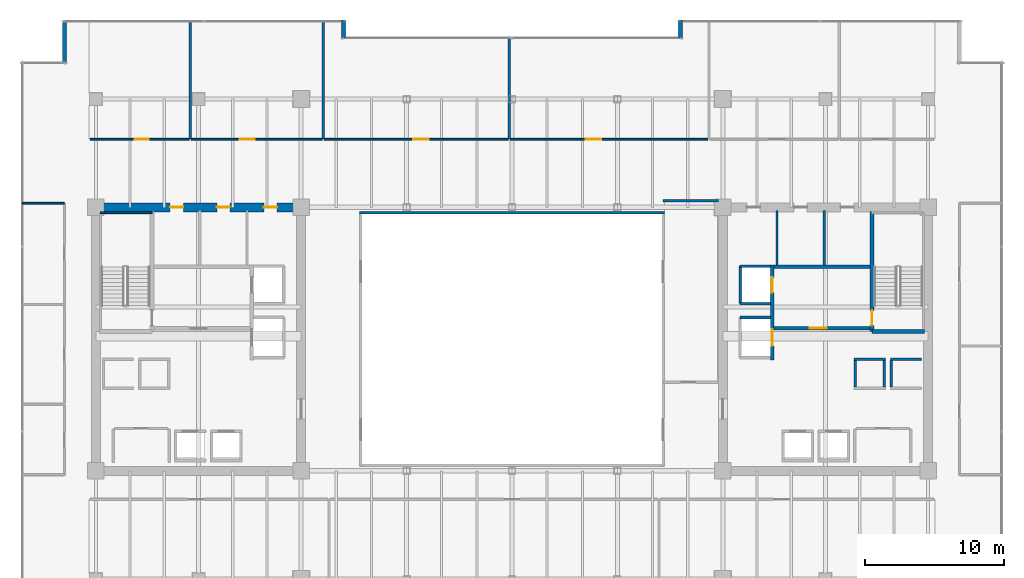
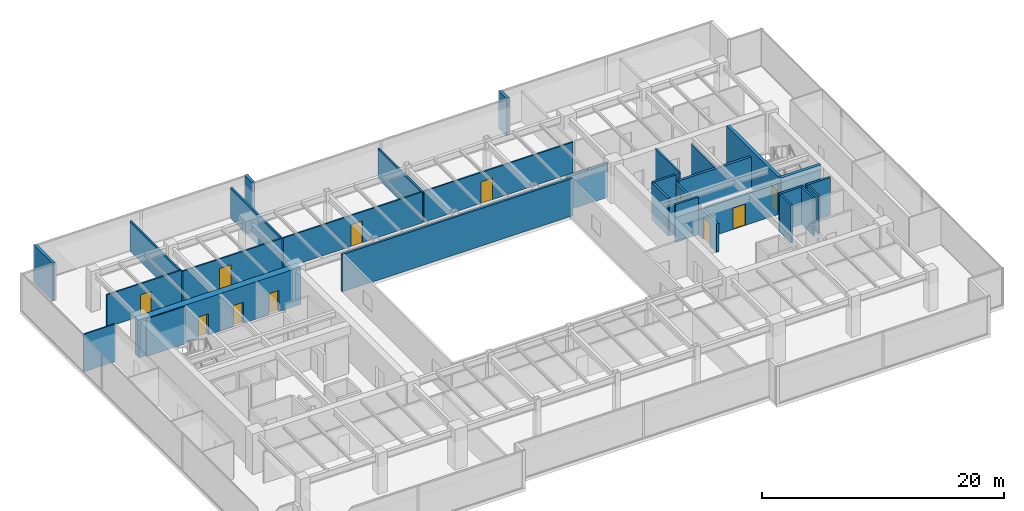
# One storey, part 27 of 33: 31 walls, 11 doors, 11 openings.
"""IFC4 building model written with IfcOpenShell, lengths in metres."""

from ifc_helpers import new_model, si_unit, direction, frame, frame_2d, origin, place, context, subcontext, project, spatial, rectangle, extrude, source, transform, mapped, material, layer, layer_set, type_object, type_shapes, element, fill, save


model = new_model("IFC4")

# Units and contexts
model_context = context("Model", 3, precision=1e-05, world=origin(), true_north=direction((0.0, 1.0)))
body_context = subcontext(model_context, "Body", "Model", "MODEL_VIEW")
ifc_project = project(units=[si_unit("LENGTHUNIT", "METRE"), si_unit("AREAUNIT", "SQUARE_METRE"), si_unit("VOLUMEUNIT", "CUBIC_METRE"), si_unit("PLANEANGLEUNIT", "RADIAN"), si_unit("MASSUNIT", "GRAM", prefix="KILO")], contexts=[model_context])

# Site, building, storey
site_placement = place(None, origin())
site = spatial("IfcSite", under=ifc_project, at=site_placement, CompositionType="ELEMENT")
building_placement = place(site_placement, origin())
building = spatial("IfcBuilding", under=site, at=building_placement, Name="Haelvirn Gate Laboratories", CompositionType="ELEMENT")
storey_placement = place(building_placement, frame((0.0, 0.0, 133.800048828125)))
storey = spatial("IfcBuildingStorey", under=building, at=storey_placement, Name="L32", CompositionType="ELEMENT", Elevation=133.800048828125)

# Walls
ifc_material_1 = material(Name="Thermally-broken bronze aluminium rainscreen & mineral wool", Category="aluminium")
ifc_layer_1 = layer(ifc_material_1, 0.280029296875, Name="EW-TERR-280")
ifc_layer_set_1 = layer_set([ifc_layer_1], Name="Thermally-broken bronze aluminium rainscreen & mineral wool")
wall_type_1 = type_object("IfcWallType", Name="EW-TERR-280", PredefinedType="STANDARD", material=ifc_layer_set_1)
for number, where, z_axis, x_axis, name in (
    (1, (49.5400390625, 47.300048828125, 0.0), (0.0, 0.0, 1.0), (0.0, -1.0, 0.0), "L32 Atrium Recess Bronze Return Wall 11"),
    (2, (25.260009765625, 46.011962890625, 0.0), (0.0, 0.0, 1.0), (0.0, 1.0, 0.0), "L32 Atrium Recess Bronze Return Wall 13"),
):
    element("IfcWall", number, at=place(storey_placement, frame(where, z_axis=z_axis, x_axis=x_axis)), inside=storey, type_object=wall_type_1, Name=name, PredefinedType="STANDARD", context=body_context, shape_type="SweptSolid", body=[
        extrude(rectangle(XDim=1.2880859375, YDim=0.280029296875, at=frame_2d((0.64404296875, 0.0))), origin(), (0.0, 0.0, 1.0), 3.7900390625),
    ])
wall_1_placement = place(storey_placement, frame((5.139892578125, 47.300048828125, 0.0), z_axis=(0.0, 0.0, 1.0), x_axis=(0.0, -1.0, 0.0)))
element("IfcWall", 3, at=wall_1_placement, inside=storey, type_object=wall_type_1, Name="L32 Atrium Recess Bronze Return Wall 15", PredefinedType="STANDARD", context=body_context, shape_type="SweptSolid", body=[
    extrude(rectangle(XDim=3.088134765625, YDim=0.280029296875, at=frame_2d((1.5439453125, 0.0))), origin(), (0.0, 0.0, 1.0), 3.7900390625),
])
ifc_material_2 = material(Name="Double-layer acoustic gypsum laboratory partition", Category="gypsum")
ifc_layer_2 = layer(ifc_material_2, 0.159912109375, Name="IW-ACOUST-160")
ifc_layer_set_2 = layer_set([ifc_layer_2], Name="Double-layer acoustic gypsum laboratory partition")
wall_type_2 = type_object("IfcWallType", Name="IW-ACOUST-160", PredefinedType="PARTITIONING", material=ifc_layer_set_2)
for number, where, z_axis, x_axis, name in (
    (4, (14.199951171875, 38.705078125, 0.0), (0.0, 0.0, 1.0), (0.0, 1.0, 0.0), "L32 Interior Wall IW-L32-NDIV-01"),
    (5, (23.800048828125, 38.705078125, 0.0), (0.0, 0.0, 1.0), (0.0, 1.0, 0.0), "L32 Interior Wall IW-L32-NDIV-02"),
):
    element("IfcWall", number, at=place(storey_placement, frame(where, z_axis=z_axis, x_axis=x_axis)), inside=storey, type_object=wall_type_2, Name=name, PredefinedType="PARTITIONING", context=body_context, shape_type="SweptSolid", body=[
        extrude(rectangle(XDim=8.48486328125, YDim=0.159912109375, at=frame_2d((4.242431640625, 0.0))), origin(), (0.0, 0.0, 1.0), 3.074951171875),
    ])
wall_2_placement = place(storey_placement, frame((37.199951171875, 38.705078125, 0.0), z_axis=(0.0, 0.0, 1.0), x_axis=(0.0, 1.0, 0.0)))
element("IfcWall", 6, at=wall_2_placement, inside=storey, type_object=wall_type_2, Name="L32 Interior Wall IW-L32-NDIV-03", PredefinedType="PARTITIONING", context=body_context, shape_type="SweptSolid", body=[
    extrude(rectangle(XDim=7.284912109375, YDim=0.159912109375, at=frame_2d((3.642578125, 0.0))), origin(), (0.0, 0.0, 1.0), 3.074951171875),
])
ifc_material_3 = material(Name="Fire-rated acoustic gypsum board partition", Category="gypsum")
ifc_layer_3 = layer(ifc_material_3, 0.175048828125, Name="IW-ACOUST-180")
ifc_layer_set_3 = layer_set([ifc_layer_3], Name="Fire-rated acoustic gypsum board partition")
wall_type_3 = type_object("IfcWallType", Name="IW-ACOUST-180", PredefinedType="PARTITIONING", material=ifc_layer_set_3)
wall_3_placement = place(storey_placement, frame((48.300048828125, 34.260009765625, 0.0), z_axis=(0.0, 0.0, 1.0), x_axis=(1.0, 0.0, 0.0)))
element("IfcWall", 7, at=wall_3_placement, inside=storey, type_object=wall_type_3, Name="L32 Interior Wall IW-L32-ASEM-N", PredefinedType="PARTITIONING", context=body_context, shape_type="SweptSolid", body=[
    extrude(rectangle(XDim=3.974853515625, YDim=0.175048828125, at=frame_2d((1.9873046875, 0.0))), origin(), (0.0, 0.0, 1.0), 3.474853515625),
])
ifc_material_4 = material(Name="Tempered fire-rated borosilicate glass & anodised aluminium", Category="aluminium")
ifc_layer_4 = layer(ifc_material_4, 0.195068359375, Name="IW-GLAZ-200")
ifc_layer_set_4 = layer_set([ifc_layer_4], Name="Tempered fire-rated borosilicate glass & anodised aluminium")
wall_type_4 = type_object("IfcWallType", Name="IW-GLAZ-200", PredefinedType="SOLIDWALL", material=ifc_layer_set_4)
wall_4_placement = place(storey_placement, frame((26.39990234375, 33.39990234375, 0.0), z_axis=(0.0, 0.0, 1.0), x_axis=(1.0, 0.0, 0.0)))
element("IfcWall", 8, at=wall_4_placement, inside=storey, type_object=wall_type_4, Name="L32 Interior Wall IW-L32-ATRIUM-N", PredefinedType="SOLIDWALL", context=body_context, shape_type="SweptSolid", body=[
    extrude(rectangle(XDim=22.0, YDim=0.195068359375, at=frame_2d((11.0, 0.0))), origin(), (0.0, 0.0, 1.0), 3.7900390625),
])
ifc_material_5 = material(Name="Lightweight acoustic gypsum board partition", Category="gypsum")
ifc_layer_5 = layer(ifc_material_5, 0.1201171875, Name="IW-PART-120")
ifc_layer_set_5 = layer_set([ifc_layer_5], Name="Lightweight acoustic gypsum board partition")
wall_type_5 = type_object("IfcWallType", Name="IW-PART-120", PredefinedType="PARTITIONING", material=ifc_layer_set_5)
wall_5_placement = place(storey_placement, frame((2.110107421875, 34.0849609375, 0.0), z_axis=(0.0, 0.0, 1.0), x_axis=(1.0, 0.0, 0.0)))
element("IfcWall", 9, at=wall_5_placement, inside=storey, type_object=wall_type_5, Name="L32 Interior Wall IW-L32-WCAP-N", PredefinedType="PARTITIONING", context=body_context, shape_type="SweptSolid", body=[
    extrude(rectangle(XDim=3.019775390625, YDim=0.1201171875, at=frame_2d((1.509765625, 0.0))), origin(), (0.0, 0.0, 1.0), 3.7900390625),
])

# Wall, opening, door
ifc_material_6 = material(Name="Acoustic mineral-wool gypsum board partition", Category="gypsum")
ifc_layer_6 = layer(ifc_material_6, 0.139892578125, Name="IW-PART-140")
ifc_layer_set_6 = layer_set([ifc_layer_6], Name="Acoustic mineral-wool gypsum board partition")
wall_type_6 = type_object("IfcWallType", Name="IW-PART-140", PredefinedType="PARTITIONING", material=ifc_layer_set_6)
wall_6_placement = place(storey_placement, frame((6.97998046875, 38.705078125, 0.0), z_axis=(0.0, 0.0, 1.0), x_axis=(1.0, 0.0, 0.0)))
wall_6 = element("IfcWall", 10, at=wall_6_placement, inside=storey, type_object=wall_type_6, Name="L32 Interior Wall IW-L32-NCORR-01", PredefinedType="PARTITIONING", context=body_context, shape_type="SweptSolid", body=[
    extrude(rectangle(XDim=7.14013671875, YDim=0.139892578125, at=frame_2d((3.570068359375, 0.0))), origin(), (0.0, 0.0, 1.0), 3.27490234375),
])
opening_1_placement = place(wall_6_placement, frame((3.233154296875, 0.0, 0.0)))
opening_1 = element("IfcOpeningElement", 11, at=opening_1_placement, cuts=wall_6, Name="Opening D2", PredefinedType="OPENING", context=body_context, shape_type="SweptSolid", body=[
    extrude(rectangle(XDim=1.0, YDim=2.14990234375, at=frame_2d((0.5, 1.074951171875))), frame((0.0, 0.080078125, 0.0), z_axis=(0.0, -1.0, 0.0), x_axis=(1.0, 0.0, 0.0)), (0.0, 0.0, 1.0), 0.159912109375),
])
ifc_material_7 = material(Name="Acoustic solid-core timber suite door", Category="wood")
door_type_1 = type_object("IfcDoorType", Name="DR-INT-1000", OperationType="NOTDEFINED", PredefinedType="DOOR", material=ifc_material_7)
shared_shape_1 = source(origin(), body_context, "Body", "SweptSolid", [
    extrude(rectangle(XDim=1.0, YDim=2.14990234375, at=frame_2d((0.5, 1.074951171875))), frame((0.0, 0.02490234375, 0.0), z_axis=(0.0, -1.0, 0.0), x_axis=(1.0, 0.0, 0.0)), (0.0, 0.0, 1.0), 0.050048828125),
])
type_shapes(door_type_1, [shared_shape_1])
door_1_placement = place(opening_1_placement, origin())
door_1 = element("IfcDoor", 12, at=door_1_placement, inside=storey, type_object=door_type_1, Name="L32 Peer-Review Seminar Room Door N1", OperationType="SINGLE_SWING_RIGHT", OverallHeight=2.14990234375, OverallWidth=1.0, PredefinedType="DOOR", context=body_context, shape_type="MappedRepresentation", body=[
    mapped(shared_shape_1, transform((0.0, 0.0, 0.0), scale=1.0)),
])
fill(opening_1, door_1)

wall_7_placement = place(storey_placement, frame((14.280029296875, 38.705078125, 0.0), z_axis=(0.0, 0.0, 1.0), x_axis=(1.0, 0.0, 0.0)))
wall_7 = element("IfcWall", 13, at=wall_7_placement, inside=storey, type_object=wall_type_6, Name="L32 Interior Wall IW-L32-NCORR-02", PredefinedType="PARTITIONING", context=body_context, shape_type="SweptSolid", body=[
    extrude(rectangle(XDim=9.43994140625, YDim=0.139892578125, at=frame_2d((4.719970703125, 0.0))), origin(), (0.0, 0.0, 1.0), 3.125),
])
opening_2_placement = place(wall_7_placement, frame((3.482421875, 0.0, 0.0)))
opening_2 = element("IfcOpeningElement", 14, at=opening_2_placement, cuts=wall_7, Name="Opening D1", PredefinedType="OPENING", context=body_context, shape_type="SweptSolid", body=[
    extrude(rectangle(XDim=1.10009765625, YDim=2.179931640625, at=frame_2d((0.550048828125, 1.08984375))), frame((0.0, 0.080078125, 0.0), z_axis=(0.0, -1.0, 0.0), x_axis=(1.0, 0.0, 0.0)), (0.0, 0.0, 1.0), 0.159912109375),
])
ifc_material_8 = material(Name="Vision-panel acoustic solid-core timber lab door", Category="wood")
door_type_2 = type_object("IfcDoorType", Name="DR-LAB-1100", OperationType="NOTDEFINED", PredefinedType="DOOR", material=ifc_material_8)
shared_shape_2 = source(origin(), body_context, "Body", "SweptSolid", [
    extrude(rectangle(XDim=1.10009765625, YDim=2.179931640625, at=frame_2d((0.550048828125, 1.08984375))), frame((0.0, 0.02490234375, 0.0), z_axis=(0.0, -1.0, 0.0), x_axis=(1.0, 0.0, 0.0)), (0.0, 0.0, 1.0), 0.050048828125),
])
type_shapes(door_type_2, [shared_shape_2])
door_2_placement = place(opening_2_placement, origin())
door_2 = element("IfcDoor", 15, at=door_2_placement, inside=storey, type_object=door_type_2, Name="L32 Cleanroom Metrology Suite Door N2", OperationType="SINGLE_SWING_LEFT", OverallHeight=2.179931640625, OverallWidth=1.10009765625, PredefinedType="DOOR", context=body_context, shape_type="MappedRepresentation", body=[
    mapped(shared_shape_2, transform((0.0, 0.0, 0.0), scale=1.0)),
])
fill(opening_2, door_2)

wall_8_placement = place(storey_placement, frame((23.8798828125, 38.705078125, 0.0), z_axis=(0.0, 0.0, 1.0), x_axis=(1.0, 0.0, 0.0)))
wall_8 = element("IfcWall", 16, at=wall_8_placement, inside=storey, type_object=wall_type_6, Name="L32 Interior Wall IW-L32-NCORR-03", PredefinedType="PARTITIONING", context=body_context, shape_type="SweptSolid", body=[
    extrude(rectangle(XDim=13.240234375, YDim=0.139892578125, at=frame_2d((6.6201171875, 0.0))), origin(), (0.0, 0.0, 1.0), 3.125),
])
opening_3_placement = place(wall_8_placement, frame((6.4130859375, 0.0, 0.0)))
opening_3 = element("IfcOpeningElement", 17, at=opening_3_placement, cuts=wall_8, Name="Opening D1", PredefinedType="OPENING", context=body_context, shape_type="SweptSolid", body=[
    extrude(rectangle(XDim=1.10009765625, YDim=2.179931640625, at=frame_2d((0.550048828125, 1.08984375))), frame((0.0, 0.080078125, 0.0), z_axis=(0.0, -1.0, 0.0), x_axis=(1.0, 0.0, 0.0)), (0.0, 0.0, 1.0), 0.159912109375),
])
door_3_placement = place(opening_3_placement, origin())
door_3 = element("IfcDoor", 18, at=door_3_placement, inside=storey, type_object=door_type_2, Name="L32 Cryo-EM Imaging Suite Door N3", OperationType="SINGLE_SWING_RIGHT", OverallHeight=2.179931640625, OverallWidth=1.10009765625, PredefinedType="DOOR", context=body_context, shape_type="MappedRepresentation", body=[
    mapped(shared_shape_2, transform((0.0, 0.0, 0.0), scale=1.0)),
])
fill(opening_3, door_3)

wall_9_placement = place(storey_placement, frame((37.280029296875, 38.705078125, 0.0), z_axis=(0.0, 0.0, 1.0), x_axis=(1.0, 0.0, 0.0)))
wall_9 = element("IfcWall", 19, at=wall_9_placement, inside=storey, type_object=wall_type_6, Name="L32 Interior Wall IW-L32-NCORR-04", PredefinedType="PARTITIONING", context=body_context, shape_type="SweptSolid", body=[
    extrude(rectangle(XDim=14.239990234375, YDim=0.139892578125, at=frame_2d((7.1201171875, 0.0))), origin(), (0.0, 0.0, 1.0), 3.125),
])
opening_4_placement = place(wall_9_placement, frame((5.450439453125, 0.0, 0.0)))
opening_4 = element("IfcOpeningElement", 20, at=opening_4_placement, cuts=wall_9, Name="Opening D1", PredefinedType="OPENING", context=body_context, shape_type="SweptSolid", body=[
    extrude(rectangle(XDim=1.10009765625, YDim=2.179931640625, at=frame_2d((0.550048828125, 1.08984375))), frame((0.0, 0.080078125, 0.0), z_axis=(0.0, -1.0, 0.0), x_axis=(1.0, 0.0, 0.0)), (0.0, 0.0, 1.0), 0.159912109375),
])
door_4_placement = place(opening_4_placement, origin())
door_4 = element("IfcDoor", 21, at=door_4_placement, inside=storey, type_object=door_type_2, Name="L32 Researcher Break Pantry Door N4", OperationType="SINGLE_SWING_LEFT", OverallHeight=2.179931640625, OverallWidth=1.10009765625, PredefinedType="DOOR", context=body_context, shape_type="MappedRepresentation", body=[
    mapped(shared_shape_2, transform((0.0, 0.0, 0.0), scale=1.0)),
])
fill(opening_4, door_4)

# Walls
ifc_material_9 = material(Name="Cement-board restroom plumbing chase wall", Category="gypsum")
ifc_layer_7 = layer(ifc_material_9, 0.155029296875, Name="IW-PLUMB-160")
ifc_layer_set_7 = layer_set([ifc_layer_7], Name="Cement-board restroom plumbing chase wall")
wall_type_7 = type_object("IfcWallType", Name="IW-PLUMB-160", PredefinedType="PLUMBINGWALL", material=ifc_layer_set_7)
wall_10_placement = place(storey_placement, frame((59.909912109375, 29.64990234375, 0.0), z_axis=(0.0, 0.0, 1.0), x_axis=(0.0, 1.0, 0.0)))
element("IfcWall", 22, at=wall_10_placement, inside=storey, type_object=wall_type_7, Name="L32 Interior Wall IW-L32-E-CDIV-1", PredefinedType="PLUMBINGWALL", context=body_context, shape_type="SweptSolid", body=[
    extrude(rectangle(XDim=3.93017578125, YDim=0.155029296875, at=frame_2d((1.965087890625, 0.0))), origin(), (0.0, 0.0, 1.0), 3.125),
])
wall_11_placement = place(storey_placement, frame((56.510009765625, 29.64990234375, 0.0), z_axis=(0.0, 0.0, 1.0), x_axis=(0.0, 1.0, 0.0)))
element("IfcWall", 23, at=wall_11_placement, inside=storey, type_object=wall_type_7, Name="L32 Interior Wall IW-L32-E-CDIV-2", PredefinedType="PLUMBINGWALL", context=body_context, shape_type="SweptSolid", body=[
    extrude(rectangle(XDim=3.93017578125, YDim=0.155029296875, at=frame_2d((1.965087890625, 0.0))), origin(), (0.0, 0.0, 1.0), 3.7900390625),
])
ifc_material_10 = material(Name="Concrete C40/50", Category="concrete")
ifc_layer_8 = layer(ifc_material_10, 0.179931640625, Name="IW-SHAFT-180")
ifc_layer_set_8 = layer_set([ifc_layer_8], Name="Concrete C40/50")
wall_type_8 = type_object("IfcWallType", Name="IW-SHAFT-180", PredefinedType="SOLIDWALL", material=ifc_layer_set_8)
for number, where, z_axis, x_axis, name in (
    (24, (64.75, 20.85009765625, 0.0), (0.0, 0.0, 1.0), (0.0, 1.0, 0.0), "L32 Interior Wall IW-L32-PL11-SD"),
    (25, (62.14990234375, 20.85009765625, 0.0), (0.0, 0.0, 1.0), (0.0, 1.0, 0.0), "L32 Interior Wall IW-L32-PL12-SD"),
    (26, (64.25, 20.85009765625, 0.0), (0.0, 0.0, 1.0), (0.0, 1.0, 0.0), "L32 Interior Wall IW-L32-PL12-SDE"),
):
    element("IfcWall", number, at=place(storey_placement, frame(where, z_axis=z_axis, x_axis=x_axis)), inside=storey, type_object=wall_type_8, Name=name, PredefinedType="SOLIDWALL", context=body_context, shape_type="SweptSolid", body=[
        extrude(rectangle(XDim=1.89990234375, YDim=0.179931640625, at=frame_2d((0.949951171875, 0.0))), origin(), (0.0, 0.0, 1.0), 3.7900390625),
    ])
ifc_layer_9 = layer(ifc_material_10, 0.199951171875, Name="IW-SHAFT-200")
ifc_layer_set_9 = layer_set([ifc_layer_9], Name="Concrete C40/50")
wall_type_9 = type_object("IfcWallType", Name="IW-SHAFT-200", PredefinedType="SOLIDWALL", material=ifc_layer_set_9)
for number, where, z_axis, x_axis, name in (
    (27, (64.669921875, 22.85009765625, 0.0), (0.0, 0.0, 1.0), (1.0, 0.0, 0.0), "L32 Interior Wall IW-L32-PL11-BK"),
    (28, (62.070068359375, 22.85009765625, 0.0), (0.0, 0.0, 1.0), (1.0, 0.0, 0.0), "L32 Interior Wall IW-L32-PL12-BK"),
):
    element("IfcWall", number, at=place(storey_placement, frame(where, z_axis=z_axis, x_axis=x_axis)), inside=storey, type_object=wall_type_9, Name=name, PredefinedType="SOLIDWALL", context=body_context, shape_type="SweptSolid", body=[
        extrude(rectangle(XDim=2.260009765625, YDim=0.199951171875, at=frame_2d((1.1298828125, 0.0))), origin(), (0.0, 0.0, 1.0), 3.7900390625),
    ])
wall_12_placement = place(storey_placement, frame((53.85009765625, 26.85009765625, 0.0), z_axis=(0.0, 0.0, 1.0), x_axis=(0.0, 1.0, 0.0)))
element("IfcWall", 29, at=wall_12_placement, inside=storey, type_object=wall_type_9, Name="L32 Interior Wall IW-L32-FL2-BK", PredefinedType="SOLIDWALL", context=body_context, shape_type="SweptSolid", body=[
    extrude(rectangle(XDim=2.699951171875, YDim=0.199951171875, at=frame_2d((1.35009765625, 0.0))), origin(), (0.0, 0.0, 1.0), 3.7900390625),
])
wall_13_placement = place(storey_placement, frame((53.85009765625, 29.550048828125, 0.0), z_axis=(0.0, 0.0, 1.0), x_axis=(1.0, 0.0, 0.0)))
element("IfcWall", 30, at=wall_13_placement, inside=storey, type_object=wall_type_9, Name="L32 Interior Wall IW-L32-FL2-N", PredefinedType="SOLIDWALL", context=body_context, shape_type="SweptSolid", body=[
    extrude(rectangle(XDim=2.18994140625, YDim=0.199951171875, at=frame_2d((1.094970703125, 0.0))), origin(), (0.0, 0.0, 1.0), 3.7900390625),
])
wall_14_placement = place(storey_placement, frame((53.85009765625, 26.85009765625, 0.0), z_axis=(0.0, 0.0, 1.0), x_axis=(1.0, 0.0, 0.0)))
element("IfcWall", 31, at=wall_14_placement, inside=storey, type_object=wall_type_9, Name="L32 Interior Wall IW-L32-FL2-S", PredefinedType="SOLIDWALL", context=body_context, shape_type="SweptSolid", body=[
    extrude(rectangle(XDim=2.18994140625, YDim=0.199951171875, at=frame_2d((1.094970703125, 0.0))), origin(), (0.0, 0.0, 1.0), 3.18701171875),
])
wall_15_placement = place(storey_placement, frame((53.85009765625, 25.85009765625, 0.0), z_axis=(0.0, 0.0, 1.0), x_axis=(1.0, 0.0, 0.0)))
element("IfcWall", 32, at=wall_15_placement, inside=storey, type_object=wall_type_9, Name="L32 Interior Wall IW-L32-SL2-N", PredefinedType="SOLIDWALL", context=body_context, shape_type="SweptSolid", body=[
    extrude(rectangle(XDim=2.18994140625, YDim=0.199951171875, at=frame_2d((1.094970703125, 0.0))), origin(), (0.0, 0.0, 1.0), 3.7900390625),
])

# Wall, opening, door
ifc_layer_10 = layer(ifc_material_10, 0.239990234375, Name="IW-SHAFT-240")
ifc_layer_set_10 = layer_set([ifc_layer_10], Name="Concrete C40/50")
wall_type_10 = type_object("IfcWallType", Name="IW-SHAFT-240", PredefinedType="SOLIDWALL", material=ifc_layer_set_10)
wall_16_placement = place(storey_placement, frame((56.280029296875, 25.080078125, 0.0), z_axis=(0.0, 0.0, 1.0), x_axis=(1.0, 0.0, 0.0)))
wall_16 = element("IfcWall", 33, at=wall_16_placement, inside=storey, type_object=wall_type_10, Name="L32 Interior Wall IW-L32-E-FF-S", PredefinedType="SOLIDWALL", context=body_context, shape_type="SweptSolid", body=[
    extrude(rectangle(XDim=6.919921875, YDim=0.239990234375, at=frame_2d((3.4599609375, 0.0))), origin(), (0.0, 0.0, 1.0), 3.125),
])
opening_5_placement = place(wall_16_placement, frame((2.60009765625, 0.0, 0.0)))
opening_5 = element("IfcOpeningElement", 34, at=opening_5_placement, cuts=wall_16, Name="Opening FD2", PredefinedType="OPENING", context=body_context, shape_type="SweptSolid", body=[
    extrude(rectangle(XDim=1.199951171875, YDim=2.159912109375, at=frame_2d((0.60009765625, 1.080078125))), frame((0.0, 0.1298828125, 0.0), z_axis=(0.0, -1.0, 0.0), x_axis=(1.0, 0.0, 0.0)), (0.0, 0.0, 1.0), 0.260009765625),
])
ifc_material_11 = material(Name="Fire-rated steel SM355 compartment door", Category="steel")
door_type_3 = type_object("IfcDoorType", Name="DR-FD-1200", OperationType="NOTDEFINED", PredefinedType="DOOR", material=ifc_material_11)
shared_shape_3 = source(origin(), body_context, "Body", "SweptSolid", [
    extrude(rectangle(XDim=1.199951171875, YDim=2.159912109375, at=frame_2d((0.60009765625, 1.080078125))), frame((0.0, 0.02490234375, 0.0), z_axis=(0.0, -1.0, 0.0), x_axis=(1.0, 0.0, 0.0)), (0.0, 0.0, 1.0), 0.050048828125),
])
type_shapes(door_type_3, [shared_shape_3])
door_5_placement = place(opening_5_placement, origin())
door_5 = element("IfcDoor", 35, at=door_5_placement, inside=storey, type_object=door_type_3, Name="L32 East Firefighting Lobby Door", OperationType="SINGLE_SWING_LEFT", OverallHeight=2.159912109375, OverallWidth=1.199951171875, PredefinedType="DOOR", context=body_context, shape_type="MappedRepresentation", body=[
    mapped(shared_shape_3, transform((0.0, 0.0, 0.0), scale=1.0)),
])
fill(opening_5, door_5)

# Wall
wall_17_placement = place(storey_placement, frame((56.280029296875, 29.52001953125, 0.0), z_axis=(0.0, 0.0, 1.0), x_axis=(1.0, 0.0, 0.0)))
element("IfcWall", 36, at=wall_17_placement, inside=storey, type_object=wall_type_10, Name="L32 Interior Wall IW-L32-E-FF-N", PredefinedType="SOLIDWALL", context=body_context, shape_type="SweptSolid", body=[
    extrude(rectangle(XDim=6.919921875, YDim=0.239990234375, at=frame_2d((3.4599609375, 0.0))), origin(), (0.0, 0.0, 1.0), 3.125),
])

# Wall, openings, doors
wall_18_placement = place(storey_placement, frame((56.159912109375, 22.800048828125, 0.0), z_axis=(0.0, 0.0, 1.0), x_axis=(0.0, 1.0, 0.0)))
wall_18 = element("IfcWall", 37, at=wall_18_placement, inside=storey, type_object=wall_type_10, Name="L32 Interior Wall IW-L32-E-FF-E", PredefinedType="SOLIDWALL", context=body_context, shape_type="SweptSolid", body=[
    extrude(rectangle(XDim=6.849853515625, YDim=0.239990234375, at=frame_2d((3.4248046875, 0.0))), origin(), (0.0, 0.0, 1.0), 2.875),
])
opening_6_placement = place(wall_18_placement, frame((4.85009765625, 0.0, 0.0)))
opening_6 = element("IfcOpeningElement", 38, at=opening_6_placement, cuts=wall_18, Name="Opening LD2", PredefinedType="OPENING", context=body_context, shape_type="SweptSolid", body=[
    extrude(rectangle(XDim=1.10009765625, YDim=2.219970703125, at=frame_2d((0.550048828125, 1.10986328125))), frame((0.0, 0.1298828125, 0.0), z_axis=(0.0, -1.0, 0.0), x_axis=(1.0, 0.0, 0.0)), (0.0, 0.0, 1.0), 0.260009765625),
])
opening_7_placement = place(wall_18_placement, frame((1.0, 0.0, 0.0)))
opening_7 = element("IfcOpeningElement", 39, at=opening_7_placement, cuts=wall_18, Name="Opening LD1", PredefinedType="OPENING", context=body_context, shape_type="SweptSolid", body=[
    extrude(rectangle(XDim=1.199951171875, YDim=2.219970703125, at=frame_2d((0.60009765625, 1.10986328125))), frame((0.0, 0.1298828125, 0.0), z_axis=(0.0, -1.0, 0.0), x_axis=(1.0, 0.0, 0.0)), (0.0, 0.0, 1.0), 0.260009765625),
])
ifc_material_12 = material(Name="Bronze stainless 316L sliding lift landing door")
door_type_4 = type_object("IfcDoorType", Name="DR-LD-1100", OperationType="NOTDEFINED", PredefinedType="USERDEFINED", material=ifc_material_12)
shared_shape_4 = source(origin(), body_context, "Body", "SweptSolid", [
    extrude(rectangle(XDim=1.10009765625, YDim=2.219970703125, at=frame_2d((0.550048828125, 1.10986328125))), frame((0.0, 0.02490234375, 0.0), z_axis=(0.0, -1.0, 0.0), x_axis=(1.0, 0.0, 0.0)), (0.0, 0.0, 1.0), 0.050048828125),
])
type_shapes(door_type_4, [shared_shape_4])
door_6_placement = place(opening_6_placement, origin())
door_6 = element("IfcDoor", 40, at=door_6_placement, inside=storey, type_object=door_type_4, Name="L32 Firefighting Lift FL2 Landing Door", ObjectType="LANDING_DOOR", OperationType="SLIDING_TO_RIGHT", OverallHeight=2.219970703125, OverallWidth=1.10009765625, PredefinedType="USERDEFINED", context=body_context, shape_type="MappedRepresentation", body=[
    mapped(shared_shape_4, transform((0.0, 0.0, 0.0), scale=1.0)),
])
fill(opening_6, door_6)
ifc_material_13 = material(Name="Stainless steel 316L sliding goods landing door", Category="steel")
door_type_5 = type_object("IfcDoorType", Name="DR-LD-1200", OperationType="NOTDEFINED", PredefinedType="USERDEFINED", material=ifc_material_13)
shared_shape_5 = source(origin(), body_context, "Body", "SweptSolid", [
    extrude(rectangle(XDim=1.199951171875, YDim=2.219970703125, at=frame_2d((0.60009765625, 1.10986328125))), frame((0.0, 0.02490234375, 0.0), z_axis=(0.0, -1.0, 0.0), x_axis=(1.0, 0.0, 0.0)), (0.0, 0.0, 1.0), 0.050048828125),
])
type_shapes(door_type_5, [shared_shape_5])
door_7_placement = place(opening_7_placement, origin())
door_7 = element("IfcDoor", 41, at=door_7_placement, inside=storey, type_object=door_type_5, Name="L32 Service Lift SL2 Landing Door", ObjectType="LANDING_DOOR", OperationType="SLIDING_TO_LEFT", OverallHeight=2.219970703125, OverallWidth=1.199951171875, PredefinedType="USERDEFINED", context=body_context, shape_type="MappedRepresentation", body=[
    mapped(shared_shape_5, transform((0.0, 0.0, 0.0), scale=1.0)),
])
fill(opening_7, door_7)

ifc_material_14 = material(Name="Concrete C60/75", Category="concrete")
ifc_layer_11 = layer(ifc_material_14, 0.64990234375, Name="SW-CORE-650")
ifc_layer_set_11 = layer_set([ifc_layer_11], Name="Concrete C60/75")
wall_type_11 = type_object("IfcWallType", Name="SW-CORE-650", PredefinedType="SHEAR", material=ifc_layer_set_11)
wall_19_placement = place(storey_placement, frame((7.074951171875, 33.800048828125, 0.0), z_axis=(0.0, 0.0, 1.0), x_axis=(1.0, 0.0, 0.0)))
wall_19 = element("IfcWall", 42, at=wall_19_placement, inside=storey, type_object=wall_type_11, Name="L32 W Core Shear Wall N", PredefinedType="SHEAR", context=body_context, shape_type="SweptSolid", body=[
    extrude(rectangle(XDim=15.449951171875, YDim=0.64990234375, at=frame_2d((7.72509765625, 0.0))), origin(), (0.0, 0.0, 1.0), 3.7900390625),
])
opening_8_placement = place(wall_19_placement, frame((5.675048828125, 0.0, 0.0)))
opening_8 = element("IfcOpeningElement", 43, at=opening_8_placement, cuts=wall_19, Name="Opening FD4", PredefinedType="OPENING", context=body_context, shape_type="SweptSolid", body=[
    extrude(rectangle(XDim=0.949951171875, YDim=2.14990234375, at=frame_2d((0.47509765625, 1.074951171875))), frame((0.0, 0.3349609375, 0.0), z_axis=(0.0, -1.0, 0.0), x_axis=(1.0, 0.0, 0.0)), (0.0, 0.0, 1.0), 0.669921875),
])
opening_9_placement = place(wall_19_placement, frame((9.0400390625, 0.0, 0.0)))
opening_9 = element("IfcOpeningElement", 44, at=opening_9_placement, cuts=wall_19, Name="Opening FD4", PredefinedType="OPENING", context=body_context, shape_type="SweptSolid", body=[
    extrude(rectangle(XDim=0.949951171875, YDim=2.14990234375, at=frame_2d((0.47509765625, 1.074951171875))), frame((0.0, 0.3349609375, 0.0), z_axis=(0.0, -1.0, 0.0), x_axis=(1.0, 0.0, 0.0)), (0.0, 0.0, 1.0), 0.669921875),
])
opening_10_placement = place(wall_19_placement, frame((12.43994140625, 0.0, 0.0)))
opening_10 = element("IfcOpeningElement", 45, at=opening_10_placement, cuts=wall_19, Name="Opening FD4", PredefinedType="OPENING", context=body_context, shape_type="SweptSolid", body=[
    extrude(rectangle(XDim=0.949951171875, YDim=2.14990234375, at=frame_2d((0.47509765625, 1.074951171875))), frame((0.0, 0.3349609375, 0.0), z_axis=(0.0, -1.0, 0.0), x_axis=(1.0, 0.0, 0.0)), (0.0, 0.0, 1.0), 0.669921875),
])
ifc_material_15 = material(Name="Fire-rated steel SM355 core service door", Category="steel")
door_type_6 = type_object("IfcDoorType", Name="DR-FD-950", OperationType="NOTDEFINED", PredefinedType="DOOR", material=ifc_material_15)
shared_shape_6 = source(origin(), body_context, "Body", "SweptSolid", [
    extrude(rectangle(XDim=0.949951171875, YDim=2.14990234375, at=frame_2d((0.47509765625, 1.074951171875))), frame((0.0, 0.02490234375, 0.0), z_axis=(0.0, -1.0, 0.0), x_axis=(1.0, 0.0, 0.0)), (0.0, 0.0, 1.0), 0.050048828125),
])
type_shapes(door_type_6, [shared_shape_6])
door_8_placement = place(opening_8_placement, origin())
door_8 = element("IfcDoor", 46, at=door_8_placement, inside=storey, type_object=door_type_6, Name="L32 Male Restroom Fire Door", OperationType="SINGLE_SWING_LEFT", OverallHeight=2.14990234375, OverallWidth=0.949951171875, PredefinedType="DOOR", context=body_context, shape_type="MappedRepresentation", body=[
    mapped(shared_shape_6, transform((0.0, 0.0, 0.0), scale=1.0)),
])
fill(opening_8, door_8)
door_9_placement = place(opening_9_placement, origin())
door_9 = element("IfcDoor", 47, at=door_9_placement, inside=storey, type_object=door_type_6, Name="L32 Female Restroom Fire Door", OperationType="SINGLE_SWING_RIGHT", OverallHeight=2.14990234375, OverallWidth=0.949951171875, PredefinedType="DOOR", context=body_context, shape_type="MappedRepresentation", body=[
    mapped(shared_shape_6, transform((0.0, 0.0, 0.0), scale=1.0)),
])
fill(opening_9, door_9)
door_10_placement = place(opening_10_placement, origin())
door_10 = element("IfcDoor", 48, at=door_10_placement, inside=storey, type_object=door_type_6, Name="L32 Accessible Restroom Fire Door", OperationType="SINGLE_SWING_LEFT", OverallHeight=2.14990234375, OverallWidth=0.949951171875, PredefinedType="DOOR", context=body_context, shape_type="MappedRepresentation", body=[
    mapped(shared_shape_6, transform((0.0, 0.0, 0.0), scale=1.0)),
])
fill(opening_10, door_10)

# Wall
ifc_material_16 = material(Name="Concrete C50/60", Category="concrete")
ifc_layer_12 = layer(ifc_material_16, 0.1201171875, Name="SW-LINER-120")
ifc_layer_set_12 = layer_set([ifc_layer_12], Name="Concrete C50/60")
wall_type_12 = type_object("IfcWallType", Name="SW-LINER-120", PredefinedType="SOLIDWALL", material=ifc_layer_set_12)
wall_20_placement = place(storey_placement, frame((7.72998046875, 33.39990234375, 0.0), z_axis=(0.0, 0.0, 1.0), x_axis=(1.0, 0.0, 0.0)))
element("IfcWall", 49, at=wall_20_placement, inside=storey, type_object=wall_type_12, Name="L32 W Core Stair Shaft Liner Wall N", PredefinedType="SOLIDWALL", context=body_context, shape_type="SweptSolid", body=[
    extrude(rectangle(XDim=3.719970703125, YDim=0.1201171875, at=frame_2d((1.85986328125, 0.0))), origin(), (0.0, 0.0, 1.0), 3.7900390625),
])

# Wall, opening, door
ifc_layer_13 = layer(ifc_material_16, 0.300048828125, Name="SW-STAIR-300")
ifc_layer_set_13 = layer_set([ifc_layer_13], Name="Concrete C50/60")
wall_type_13 = type_object("IfcWallType", Name="SW-STAIR-300", PredefinedType="SHEAR", material=ifc_layer_set_13)
wall_21_placement = place(storey_placement, frame((63.35009765625, 24.85009765625, 0.0), z_axis=(0.0, 0.0, 1.0), x_axis=(0.0, 1.0, 0.0)))
wall_21 = element("IfcWall", 50, at=wall_21_placement, inside=storey, type_object=wall_type_13, Name="L32 E Core Stair Shaft Structural Wall IN", PredefinedType="SHEAR", context=body_context, shape_type="SweptSolid", body=[
    extrude(rectangle(XDim=8.6298828125, YDim=0.300048828125, at=frame_2d((4.31494140625, 0.0))), origin(), (0.0, 0.0, 1.0), 3.7900390625),
])
opening_11_placement = place(wall_21_placement, frame((0.419921875, 0.0, 0.0)))
opening_11 = element("IfcOpeningElement", 51, at=opening_11_placement, cuts=wall_21, Name="Opening FD3", PredefinedType="OPENING", context=body_context, shape_type="SweptSolid", body=[
    extrude(rectangle(XDim=1.10009765625, YDim=2.14990234375, at=frame_2d((0.550048828125, 1.074951171875))), frame((0.0, 0.16015625, 0.0), z_axis=(0.0, -1.0, 0.0), x_axis=(1.0, 0.0, 0.0)), (0.0, 0.0, 1.0), 0.320068359375),
])
ifc_material_17 = material(Name="Fire-rated steel SM355 escape stair door", Category="steel")
door_type_7 = type_object("IfcDoorType", Name="DR-FD-1100", OperationType="NOTDEFINED", PredefinedType="DOOR", material=ifc_material_17)
shared_shape_7 = source(origin(), body_context, "Body", "SweptSolid", [
    extrude(rectangle(XDim=1.10009765625, YDim=2.14990234375, at=frame_2d((0.550048828125, 1.074951171875))), frame((0.0, 0.02490234375, 0.0), z_axis=(0.0, -1.0, 0.0), x_axis=(1.0, 0.0, 0.0)), (0.0, 0.0, 1.0), 0.050048828125),
])
type_shapes(door_type_7, [shared_shape_7])
door_11_placement = place(opening_11_placement, origin())
door_11 = element("IfcDoor", 52, at=door_11_placement, inside=storey, type_object=door_type_7, Name="L32 Escape Stair ST2 Fire Door", OperationType="SINGLE_SWING_RIGHT", OverallHeight=2.14990234375, OverallWidth=1.10009765625, PredefinedType="DOOR", context=body_context, shape_type="MappedRepresentation", body=[
    mapped(shared_shape_7, transform((0.0, 0.0, 0.0), scale=1.0)),
])
fill(opening_11, door_11)

# Wall
wall_22_placement = place(storey_placement, frame((63.35009765625, 24.85009765625, 0.0), z_axis=(0.0, 0.0, 1.0), x_axis=(1.0, 0.0, 0.0)))
element("IfcWall", 53, at=wall_22_placement, inside=storey, type_object=wall_type_13, Name="L32 E Core Stair Shaft Structural Wall S", PredefinedType="SHEAR", context=body_context, shape_type="SweptSolid", body=[
    extrude(rectangle(XDim=3.7998046875, YDim=0.300048828125, at=frame_2d((1.89990234375, 0.0))), origin(), (0.0, 0.0, 1.0), 3.7900390625),
])

save(model, "model.ifc")
